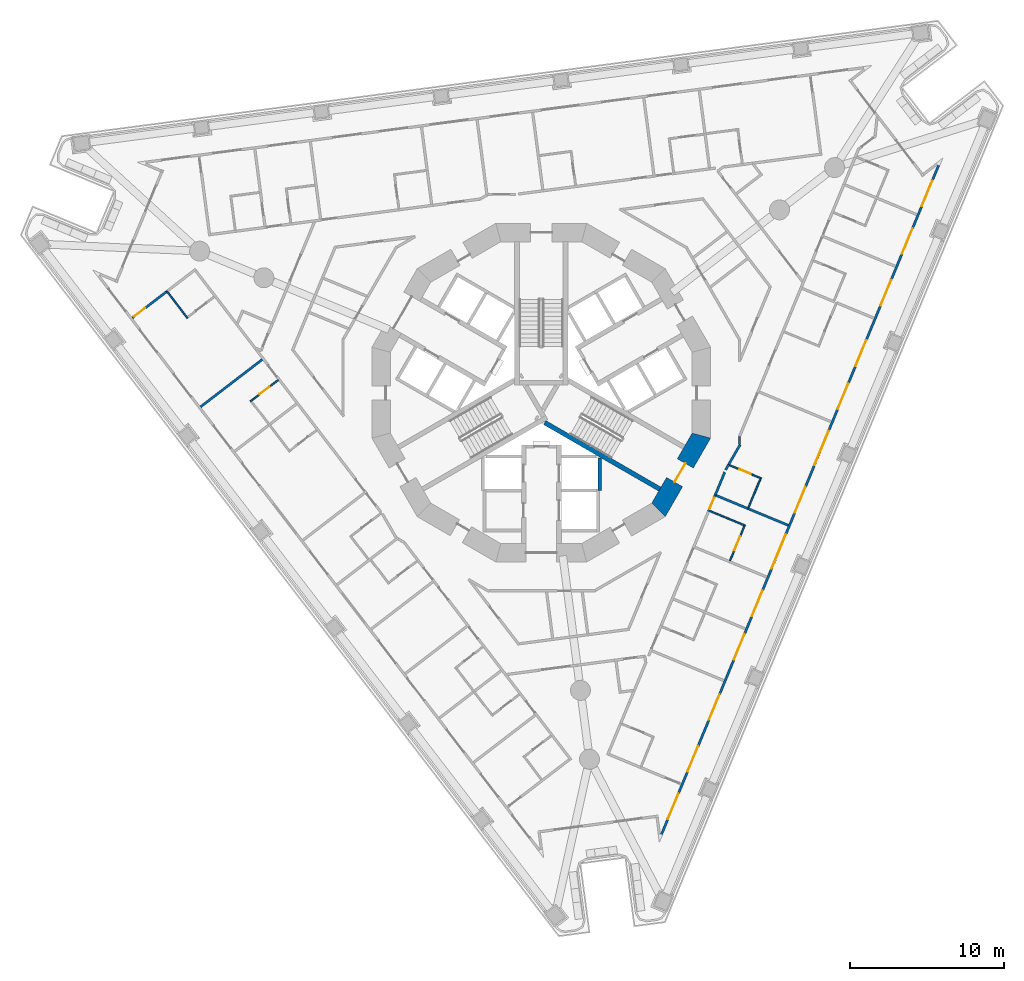
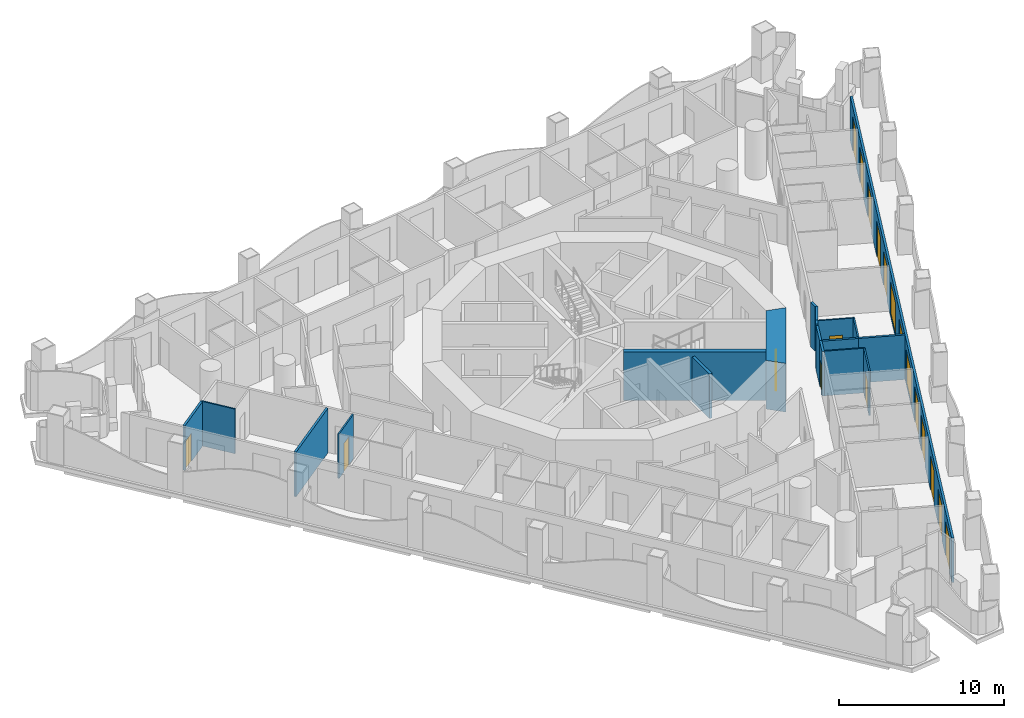
# One storey, part 5 of 19: 19 walls, 17 doors, 2 windows, 19 openings.
"""IFC4 building model written with IfcOpenShell, lengths in metres."""

from ifc_helpers import new_model, si_unit, direction, frame, frame_2d, origin, place, context, subcontext, project, spatial, polyline, rectangle, outline, extrude, material, layer, layer_set, type_object, element, fill, save


model = new_model("IFC4")

# Units and contexts
model_context = context("Model", 3, precision=1e-05, world=origin(), true_north=direction((0.0, 1.0)))
body_context = subcontext(model_context, "Body", "Model", "MODEL_VIEW")
ifc_project = project(units=[si_unit("LENGTHUNIT", "METRE"), si_unit("AREAUNIT", "SQUARE_METRE"), si_unit("VOLUMEUNIT", "CUBIC_METRE"), si_unit("PLANEANGLEUNIT", "RADIAN"), si_unit("MASSUNIT", "GRAM", prefix="KILO")], contexts=[model_context])

# Site, building, storey
site_placement = place(None, origin())
site = spatial("IfcSite", under=ifc_project, at=site_placement, CompositionType="ELEMENT")
building_placement = place(site_placement, origin())
building = spatial("IfcBuilding", under=site, at=building_placement, Name="Trine Commons Tower", CompositionType="ELEMENT")
storey_placement = place(building_placement, frame((0.0, 0.0, 75.60009765625)))
storey = spatial("IfcBuildingStorey", under=building, at=storey_placement, Name="L18", CompositionType="ELEMENT", Elevation=75.60009765625)

# Wall, openings, windows, doors
ifc_material_1 = material(Name="Aluminium-framed insulated wall panel", Category="aluminium")
ifc_layer_1 = layer(ifc_material_1, 0.14990234375)
ifc_layer_set_1 = layer_set([ifc_layer_1], Name="Aluminium-framed insulated wall panel")
wall_type_1 = type_object("IfcWallType", Name="Glazed frame wall 150, EI 60", PredefinedType="SOLIDWALL", material=ifc_layer_set_1)
wall_1_placement = place(storey_placement, frame((105.888671875, 77.410888671875, 0.0), z_axis=(0.0, 0.0, 1.0), x_axis=(-0.38268395344, -0.923879316675, 0.0)))
wall_1 = element("IfcWall", 1, at=wall_1_placement, inside=storey, type_object=wall_type_1, Name="Glazed frame wall F2", PredefinedType="SOLIDWALL", context=body_context, shape_type="SweptSolid", body=[
    extrude(outline(polyline([(0.1494140625, 0.074951171875), (0.1494140625, -0.074951171875), (47.216796875, -0.074951171875), (47.216796875, 0.074951171875), (0.1494140625, 0.074951171875)])), origin(), (0.0, 0.0, 1.0), 3.2998046875),
])
opening_1_placement = place(wall_1_placement, frame((1.2216796875, 0.0, 0.0)))
opening_1 = element("IfcOpeningElement", 2, at=opening_1_placement, cuts=wall_1, Name="Opening BD-2F2-01", PredefinedType="OPENING", context=body_context, shape_type="SweptSolid", body=[
    extrude(rectangle(XDim=1.800048828125, YDim=2.60009765625, at=frame_2d((0.89990234375, 1.300048828125))), frame((0.0, 0.0849609375, 0.0), z_axis=(0.0, -1.0, 0.0), x_axis=(1.0, 0.0, 0.0)), (0.0, 0.0, 1.0), 0.169921875),
])
opening_2_placement = place(wall_1_placement, frame((4.5654296875, 0.0, 0.0)))
opening_2 = element("IfcOpeningElement", 3, at=opening_2_placement, cuts=wall_1, Name="Opening BD-2F2-02", PredefinedType="OPENING", context=body_context, shape_type="SweptSolid", body=[
    extrude(rectangle(XDim=1.800048828125, YDim=2.60009765625, at=frame_2d((0.89990234375, 1.300048828125))), frame((0.0, 0.0849609375, 0.0), z_axis=(0.0, -1.0, 0.0), x_axis=(1.0, 0.0, 0.0)), (0.0, 0.0, 1.0), 0.169921875),
])
opening_3_placement = place(wall_1_placement, frame((8.208984375, 0.0, 0.0)))
opening_3 = element("IfcOpeningElement", 4, at=opening_3_placement, cuts=wall_1, Name="Opening BD-2F2-03", PredefinedType="OPENING", context=body_context, shape_type="SweptSolid", body=[
    extrude(rectangle(XDim=1.800048828125, YDim=2.60009765625, at=frame_2d((0.89990234375, 1.300048828125))), frame((0.0, 0.0849609375, 0.0), z_axis=(0.0, -1.0, 0.0), x_axis=(1.0, 0.0, 0.0)), (0.0, 0.0, 1.0), 0.169921875),
])
opening_4_placement = place(wall_1_placement, frame((12.45263671875, 0.0, 0.0)))
opening_4 = element("IfcOpeningElement", 5, at=opening_4_placement, cuts=wall_1, Name="Opening BD-2F2-04", PredefinedType="OPENING", context=body_context, shape_type="SweptSolid", body=[
    extrude(rectangle(XDim=1.800048828125, YDim=2.60009765625, at=frame_2d((0.89990234375, 1.300048828125))), frame((0.0, 0.0849609375, 0.0), z_axis=(0.0, -1.0, 0.0), x_axis=(1.0, 0.0, 0.0)), (0.0, 0.0, 1.0), 0.169921875),
])
opening_5_placement = place(wall_1_placement, frame((15.49609375, 0.0, 0.0)))
opening_5 = element("IfcOpeningElement", 6, at=opening_5_placement, cuts=wall_1, Name="Opening BD-2F2-05", PredefinedType="OPENING", context=body_context, shape_type="SweptSolid", body=[
    extrude(rectangle(XDim=1.800048828125, YDim=2.60009765625, at=frame_2d((0.89990234375, 1.300048828125))), frame((0.0, 0.0849609375, 0.0), z_axis=(0.0, -1.0, 0.0), x_axis=(1.0, 0.0, 0.0)), (0.0, 0.0, 1.0), 0.169921875),
])
opening_6_placement = place(wall_1_placement, frame((18.83984375, 0.0, 0.14990234375)))
opening_6 = element("IfcOpeningElement", 7, at=opening_6_placement, cuts=wall_1, Name="Opening W-2F2-06", PredefinedType="OPENING", context=body_context, shape_type="SweptSolid", body=[
    extrude(rectangle(XDim=2.39990234375, YDim=2.449951171875, at=frame_2d((1.199951171875, 1.22509765625))), frame((0.0, 0.0849609375, 0.0), z_axis=(0.0, -1.0, 0.0), x_axis=(1.0, 0.0, 0.0)), (0.0, 0.0, 1.0), 0.169921875),
])
opening_7_placement = place(wall_1_placement, frame((22.783447265625, 0.0, 0.0)))
opening_7 = element("IfcOpeningElement", 8, at=opening_7_placement, cuts=wall_1, Name="Opening BD-2F2-07", PredefinedType="OPENING", context=body_context, shape_type="SweptSolid", body=[
    extrude(rectangle(XDim=1.800048828125, YDim=2.60009765625, at=frame_2d((0.89990234375, 1.300048828125))), frame((0.0, 0.0849609375, 0.0), z_axis=(0.0, -1.0, 0.0), x_axis=(1.0, 0.0, 0.0)), (0.0, 0.0, 1.0), 0.169921875),
])
opening_8_placement = place(wall_1_placement, frame((26.126953125, 0.0, 0.14990234375)))
opening_8 = element("IfcOpeningElement", 9, at=opening_8_placement, cuts=wall_1, Name="Opening W-2F2-08", PredefinedType="OPENING", context=body_context, shape_type="SweptSolid", body=[
    extrude(rectangle(XDim=2.39990234375, YDim=2.449951171875, at=frame_2d((1.199951171875, 1.22509765625))), frame((0.0, 0.0849609375, 0.0), z_axis=(0.0, -1.0, 0.0), x_axis=(1.0, 0.0, 0.0)), (0.0, 0.0, 1.0), 0.169921875),
])
opening_9_placement = place(wall_1_placement, frame((30.070556640625, 0.0, 0.0)))
opening_9 = element("IfcOpeningElement", 10, at=opening_9_placement, cuts=wall_1, Name="Opening BD-2F2-09", PredefinedType="OPENING", context=body_context, shape_type="SweptSolid", body=[
    extrude(rectangle(XDim=1.800048828125, YDim=2.60009765625, at=frame_2d((0.89990234375, 1.300048828125))), frame((0.0, 0.0849609375, 0.0), z_axis=(0.0, -1.0, 0.0), x_axis=(1.0, 0.0, 0.0)), (0.0, 0.0, 1.0), 0.169921875),
])
opening_10_placement = place(wall_1_placement, frame((33.1142578125, 0.0, 0.0)))
opening_10 = element("IfcOpeningElement", 11, at=opening_10_placement, cuts=wall_1, Name="Opening BD-2F2-10", PredefinedType="OPENING", context=body_context, shape_type="SweptSolid", body=[
    extrude(rectangle(XDim=1.800048828125, YDim=2.60009765625, at=frame_2d((0.89990234375, 1.300048828125))), frame((0.0, 0.0849609375, 0.0), z_axis=(0.0, -1.0, 0.0), x_axis=(1.0, 0.0, 0.0)), (0.0, 0.0, 1.0), 0.169921875),
])
opening_11_placement = place(wall_1_placement, frame((37.35791015625, 0.0, 0.0)))
opening_11 = element("IfcOpeningElement", 12, at=opening_11_placement, cuts=wall_1, Name="Opening BD-2F2-11", PredefinedType="OPENING", context=body_context, shape_type="SweptSolid", body=[
    extrude(rectangle(XDim=1.800048828125, YDim=2.60009765625, at=frame_2d((0.89990234375, 1.300048828125))), frame((0.0, 0.0849609375, 0.0), z_axis=(0.0, -1.0, 0.0), x_axis=(1.0, 0.0, 0.0)), (0.0, 0.0, 1.0), 0.169921875),
])
opening_12_placement = place(wall_1_placement, frame((41.00146484375, 0.0, 0.0)))
opening_12 = element("IfcOpeningElement", 13, at=opening_12_placement, cuts=wall_1, Name="Opening BD-2F2-12", PredefinedType="OPENING", context=body_context, shape_type="SweptSolid", body=[
    extrude(rectangle(XDim=1.800048828125, YDim=2.60009765625, at=frame_2d((0.89990234375, 1.300048828125))), frame((0.0, 0.0849609375, 0.0), z_axis=(0.0, -1.0, 0.0), x_axis=(1.0, 0.0, 0.0)), (0.0, 0.0, 1.0), 0.169921875),
])
opening_13_placement = place(wall_1_placement, frame((44.344970703125, 0.0, 0.0)))
opening_13 = element("IfcOpeningElement", 14, at=opening_13_placement, cuts=wall_1, Name="Opening BD-2F2-13", PredefinedType="OPENING", context=body_context, shape_type="SweptSolid", body=[
    extrude(rectangle(XDim=1.800048828125, YDim=2.60009765625, at=frame_2d((0.89990234375, 1.300048828125))), frame((0.0, 0.0849609375, 0.0), z_axis=(0.0, -1.0, 0.0), x_axis=(1.0, 0.0, 0.0)), (0.0, 0.0, 1.0), 0.169921875),
])
ifc_material_2 = material(Name="Anodised aluminium frame with double glazing", Category="aluminium")
window_type = type_object("IfcWindowType", Name="Fixed window 2400x2450", PartitioningType="SINGLE_PANEL", PredefinedType="WINDOW", material=ifc_material_2)
window_1_placement = place(opening_6_placement, origin())
window_1 = element("IfcWindow", 15, at=window_1_placement, inside=storey, type_object=window_type, Name="Window F2 6", OverallHeight=2.449951171875, OverallWidth=2.39990234375, PartitioningType="SINGLE_PANEL", PredefinedType="WINDOW", context=body_context, shape_type="SweptSolid", body=[
    extrude(rectangle(XDim=2.39990234375, YDim=2.449951171875, at=frame_2d((1.199951171875, 1.22509765625))), frame((0.0, 0.030029296875, 0.0), z_axis=(0.0, -1.0, 0.0), x_axis=(1.0, 0.0, 0.0)), (0.0, 0.0, 1.0), 0.06005859375),
])
fill(opening_6, window_1)
window_2_placement = place(opening_8_placement, origin())
window_2 = element("IfcWindow", 16, at=window_2_placement, inside=storey, type_object=window_type, Name="Window F2 8", OverallHeight=2.449951171875, OverallWidth=2.39990234375, PartitioningType="SINGLE_PANEL", PredefinedType="WINDOW", context=body_context, shape_type="SweptSolid", body=[
    extrude(rectangle(XDim=2.39990234375, YDim=2.449951171875, at=frame_2d((1.199951171875, 1.22509765625))), frame((0.0, 0.030029296875, 0.0), z_axis=(0.0, -1.0, 0.0), x_axis=(1.0, 0.0, 0.0)), (0.0, 0.0, 1.0), 0.06005859375),
])
fill(opening_8, window_2)
door_type_1 = type_object("IfcDoorType", Name="Sliding loggia door 1800x2600", OperationType="SLIDING_TO_LEFT", PredefinedType="DOOR", material=ifc_material_2)
door_1_placement = place(opening_1_placement, origin())
door_1 = element("IfcDoor", 17, at=door_1_placement, inside=storey, type_object=door_type_1, Name="Loggia door F2 1", OperationType="SLIDING_TO_LEFT", OverallHeight=2.60009765625, OverallWidth=1.800048828125, PredefinedType="DOOR", context=body_context, shape_type="SweptSolid", body=[
    extrude(rectangle(XDim=1.800048828125, YDim=2.60009765625, at=frame_2d((0.89990234375, 1.300048828125))), frame((0.0, 0.02490234375, 0.0), z_axis=(0.0, -1.0, 0.0), x_axis=(1.0, 0.0, 0.0)), (0.0, 0.0, 1.0), 0.050048828125),
])
fill(opening_1, door_1)
door_2_placement = place(opening_2_placement, origin())
door_2 = element("IfcDoor", 18, at=door_2_placement, inside=storey, type_object=door_type_1, Name="Loggia door F2 2", OperationType="SLIDING_TO_LEFT", OverallHeight=2.60009765625, OverallWidth=1.800048828125, PredefinedType="DOOR", context=body_context, shape_type="SweptSolid", body=[
    extrude(rectangle(XDim=1.800048828125, YDim=2.60009765625, at=frame_2d((0.89990234375, 1.300048828125))), frame((0.0, 0.02490234375, 0.0), z_axis=(0.0, -1.0, 0.0), x_axis=(1.0, 0.0, 0.0)), (0.0, 0.0, 1.0), 0.050048828125),
])
fill(opening_2, door_2)
door_3_placement = place(opening_3_placement, origin())
door_3 = element("IfcDoor", 19, at=door_3_placement, inside=storey, type_object=door_type_1, Name="Loggia door F2 3", OperationType="SLIDING_TO_LEFT", OverallHeight=2.60009765625, OverallWidth=1.800048828125, PredefinedType="DOOR", context=body_context, shape_type="SweptSolid", body=[
    extrude(rectangle(XDim=1.800048828125, YDim=2.60009765625, at=frame_2d((0.89990234375, 1.300048828125))), frame((0.0, 0.02490234375, 0.0), z_axis=(0.0, -1.0, 0.0), x_axis=(1.0, 0.0, 0.0)), (0.0, 0.0, 1.0), 0.050048828125),
])
fill(opening_3, door_3)
door_4_placement = place(opening_4_placement, origin())
door_4 = element("IfcDoor", 20, at=door_4_placement, inside=storey, type_object=door_type_1, Name="Loggia door F2 4", OperationType="SLIDING_TO_LEFT", OverallHeight=2.60009765625, OverallWidth=1.800048828125, PredefinedType="DOOR", context=body_context, shape_type="SweptSolid", body=[
    extrude(rectangle(XDim=1.800048828125, YDim=2.60009765625, at=frame_2d((0.89990234375, 1.300048828125))), frame((0.0, 0.02490234375, 0.0), z_axis=(0.0, -1.0, 0.0), x_axis=(1.0, 0.0, 0.0)), (0.0, 0.0, 1.0), 0.050048828125),
])
fill(opening_4, door_4)
door_5_placement = place(opening_5_placement, origin())
door_5 = element("IfcDoor", 21, at=door_5_placement, inside=storey, type_object=door_type_1, Name="Loggia door F2 5", OperationType="SLIDING_TO_LEFT", OverallHeight=2.60009765625, OverallWidth=1.800048828125, PredefinedType="DOOR", context=body_context, shape_type="SweptSolid", body=[
    extrude(rectangle(XDim=1.800048828125, YDim=2.60009765625, at=frame_2d((0.89990234375, 1.300048828125))), frame((0.0, 0.02490234375, 0.0), z_axis=(0.0, -1.0, 0.0), x_axis=(1.0, 0.0, 0.0)), (0.0, 0.0, 1.0), 0.050048828125),
])
fill(opening_5, door_5)
door_6_placement = place(opening_7_placement, origin())
door_6 = element("IfcDoor", 22, at=door_6_placement, inside=storey, type_object=door_type_1, Name="Loggia door F2 7", OperationType="SLIDING_TO_LEFT", OverallHeight=2.60009765625, OverallWidth=1.800048828125, PredefinedType="DOOR", context=body_context, shape_type="SweptSolid", body=[
    extrude(rectangle(XDim=1.800048828125, YDim=2.60009765625, at=frame_2d((0.89990234375, 1.300048828125))), frame((0.0, 0.02490234375, 0.0), z_axis=(0.0, -1.0, 0.0), x_axis=(1.0, 0.0, 0.0)), (0.0, 0.0, 1.0), 0.050048828125),
])
fill(opening_7, door_6)
door_7_placement = place(opening_9_placement, origin())
door_7 = element("IfcDoor", 23, at=door_7_placement, inside=storey, type_object=door_type_1, Name="Loggia door F2 9", OperationType="SLIDING_TO_LEFT", OverallHeight=2.60009765625, OverallWidth=1.800048828125, PredefinedType="DOOR", context=body_context, shape_type="SweptSolid", body=[
    extrude(rectangle(XDim=1.800048828125, YDim=2.60009765625, at=frame_2d((0.89990234375, 1.300048828125))), frame((0.0, 0.02490234375, 0.0), z_axis=(0.0, -1.0, 0.0), x_axis=(1.0, 0.0, 0.0)), (0.0, 0.0, 1.0), 0.050048828125),
])
fill(opening_9, door_7)
door_8_placement = place(opening_10_placement, origin())
door_8 = element("IfcDoor", 24, at=door_8_placement, inside=storey, type_object=door_type_1, Name="Loggia door F2 10", OperationType="SLIDING_TO_LEFT", OverallHeight=2.60009765625, OverallWidth=1.800048828125, PredefinedType="DOOR", context=body_context, shape_type="SweptSolid", body=[
    extrude(rectangle(XDim=1.800048828125, YDim=2.60009765625, at=frame_2d((0.89990234375, 1.300048828125))), frame((0.0, 0.02490234375, 0.0), z_axis=(0.0, -1.0, 0.0), x_axis=(1.0, 0.0, 0.0)), (0.0, 0.0, 1.0), 0.050048828125),
])
fill(opening_10, door_8)
door_9_placement = place(opening_11_placement, origin())
door_9 = element("IfcDoor", 25, at=door_9_placement, inside=storey, type_object=door_type_1, Name="Loggia door F2 11", OperationType="SLIDING_TO_LEFT", OverallHeight=2.60009765625, OverallWidth=1.800048828125, PredefinedType="DOOR", context=body_context, shape_type="SweptSolid", body=[
    extrude(rectangle(XDim=1.800048828125, YDim=2.60009765625, at=frame_2d((0.89990234375, 1.300048828125))), frame((0.0, 0.02490234375, 0.0), z_axis=(0.0, -1.0, 0.0), x_axis=(1.0, 0.0, 0.0)), (0.0, 0.0, 1.0), 0.050048828125),
])
fill(opening_11, door_9)
door_10_placement = place(opening_12_placement, origin())
door_10 = element("IfcDoor", 26, at=door_10_placement, inside=storey, type_object=door_type_1, Name="Loggia door F2 12", OperationType="SLIDING_TO_LEFT", OverallHeight=2.60009765625, OverallWidth=1.800048828125, PredefinedType="DOOR", context=body_context, shape_type="SweptSolid", body=[
    extrude(rectangle(XDim=1.800048828125, YDim=2.60009765625, at=frame_2d((0.89990234375, 1.300048828125))), frame((0.0, 0.02490234375, 0.0), z_axis=(0.0, -1.0, 0.0), x_axis=(1.0, 0.0, 0.0)), (0.0, 0.0, 1.0), 0.050048828125),
])
fill(opening_12, door_10)
door_11_placement = place(opening_13_placement, origin())
door_11 = element("IfcDoor", 27, at=door_11_placement, inside=storey, type_object=door_type_1, Name="Loggia door F2 13", OperationType="SLIDING_TO_LEFT", OverallHeight=2.60009765625, OverallWidth=1.800048828125, PredefinedType="DOOR", context=body_context, shape_type="SweptSolid", body=[
    extrude(rectangle(XDim=1.800048828125, YDim=2.60009765625, at=frame_2d((0.89990234375, 1.300048828125))), frame((0.0, 0.02490234375, 0.0), z_axis=(0.0, -1.0, 0.0), x_axis=(1.0, 0.0, 0.0)), (0.0, 0.0, 1.0), 0.050048828125),
])
fill(opening_13, door_11)

# Wall, opening, door
ifc_material_3 = material(Name="Concrete C80/95", Category="concrete")
ifc_layer_2 = layer(ifc_material_3, 1.199951171875)
ifc_layer_set_2 = layer_set([ifc_layer_2], Name="Concrete C80/95")
wall_type_2 = type_object("IfcWallType", Name="RC shear wall 1200 mm, C80/95", PredefinedType="SHEAR", material=ifc_layer_set_2)
wall_2_placement = place(storey_placement, frame((87.54150390625, 54.739013671875, 0.0), z_axis=(0.0, 0.0, 1.0), x_axis=(0.499979111662, 0.866037463336, 0.0)))
wall_2 = element("IfcWall", 28, at=wall_2_placement, inside=storey, type_object=wall_type_2, Name="Core wall CWB-12 L18", PredefinedType="SHEAR", context=body_context, shape_type="SweptSolid", body=[
    extrude(outline(polyline([(0.0, -0.60009765625), (5.901123046875, -0.60009765625), (5.57958984375, 0.60009765625), (0.321533203125, 0.60009765625), (0.0, -0.60009765625)])), origin(), (0.0, 0.0, 1.0), 3.599853515625),
])
opening_14_placement = place(wall_2_placement, frame((2.25048828125, 0.0, 0.0)))
opening_14 = element("IfcOpeningElement", 29, at=opening_14_placement, cuts=wall_2, Name="Opening K05.03", PredefinedType="OPENING", context=body_context, shape_type="SweptSolid", body=[
    extrude(rectangle(XDim=1.39990234375, YDim=2.10009765625, at=frame_2d((0.699951171875, 1.050048828125))), frame((0.0, 0.60986328125, 0.0), z_axis=(0.0, -1.0, 0.0), x_axis=(1.0, 0.0, 0.0)), (0.0, 0.0, 1.0), 1.219970703125),
])
ifc_material_4 = material(Name="Steel door leaves, fire-rated", Category="steel")
door_type_2 = type_object("IfcDoorType", Name="Stair door, double leaf 1400 x 2100, FD90", OperationType="DOUBLE_DOOR_SINGLE_SWING", PredefinedType="DOOR", material=ifc_material_4)
door_12_placement = place(opening_14_placement, origin())
door_12 = element("IfcDoor", 30, at=door_12_placement, inside=storey, type_object=door_type_2, Name="Stair door to Exit stair ST3A L18", OperationType="DOUBLE_DOOR_SINGLE_SWING", OverallHeight=2.10009765625, OverallWidth=1.39990234375, PredefinedType="DOOR", context=body_context, shape_type="SweptSolid", body=[
    extrude(rectangle(XDim=1.39990234375, YDim=2.10009765625, at=frame_2d((0.699951171875, 1.050048828125))), frame((0.0, 0.02490234375, 0.0), z_axis=(0.0, -1.0, 0.0), x_axis=(1.0, 0.0, 0.0)), (0.0, 0.0, 1.0), 0.050048828125),
])
fill(opening_14, door_12)

# Walls
ifc_layer_3 = layer(ifc_material_3, 0.300048828125)
ifc_layer_set_3 = layer_set([ifc_layer_3], Name="Concrete C80/95")
wall_type_3 = type_object("IfcWallType", Name="RC shear wall 300 mm, C80/95", PredefinedType="SHEAR", material=ifc_layer_set_3)
wall_3_placement = place(storey_placement, frame((80.22509765625, 60.552001953125, 0.0), z_axis=(0.0, 0.0, 1.0), x_axis=(0.865965399159, -0.500103916661, 0.0)))
element("IfcWall", 31, at=wall_3_placement, inside=storey, type_object=wall_type_3, Name="Core cross wall SWA-13 L18", PredefinedType="SHEAR", context=body_context, shape_type="SweptSolid", body=[
    extrude(rectangle(XDim=8.642333984375, YDim=0.300048828125, at=frame_2d((4.3212890625, 0.0))), origin(), (0.0, 0.0, 1.0), 3.599853515625),
])
ifc_material_5 = material(Name="Fire-rated gypsum shaft wall system")
ifc_layer_4 = layer(ifc_material_5, 0.199951171875)
ifc_layer_set_4 = layer_set([ifc_layer_4], Name="Fire-rated gypsum shaft wall system")
wall_type_4 = type_object("IfcWallType", Name="Shaft wall 200 mm, EI 120", PredefinedType="PARTITIONING", material=ifc_layer_set_4)
wall_4_placement = place(storey_placement, frame((83.800048828125, 58.256103515625, 0.0), z_axis=(0.0, 0.0, 1.0), x_axis=(0.0, -1.0, 0.0)))
element("IfcWall", 32, at=wall_4_placement, inside=storey, type_object=wall_type_4, Name="Shaft wall L18", PredefinedType="PARTITIONING", context=body_context, shape_type="SweptSolid", body=[
    extrude(rectangle(XDim=2.106201171875, YDim=0.199951171875, at=frame_2d((1.05322265625, 0.0))), origin(), (0.0, 0.0, 1.0), 3.2998046875),
])

# Wall, opening, door
ifc_material_6 = material(Name="Gypsum plasterboard on steel stud", Category="steel")
ifc_layer_5 = layer(ifc_material_6, 0.14990234375)
ifc_layer_set_5 = layer_set([ifc_layer_5], Name="Gypsum plasterboard on steel stud")
wall_type_5 = type_object("IfcWallType", Name="Unit and corridor wall 150 mm, EI 60", PredefinedType="PARTITIONING", material=ifc_layer_set_5)
wall_5_placement = place(storey_placement, frame((53.41162109375, 67.3583984375, 0.0), z_axis=(0.0, 0.0, 1.0), x_axis=(0.793542758611, 0.608514494696, 0.0)))
wall_5 = element("IfcWall", 33, at=wall_5_placement, inside=storey, type_object=wall_type_5, Name="Partition 001", PredefinedType="PARTITIONING", context=body_context, shape_type="SweptSolid", body=[
    extrude(rectangle(XDim=2.842041015625, YDim=0.14990234375, at=frame_2d((1.4208984375, 0.0))), origin(), (0.0, 0.0, 1.0), 3.2998046875),
])
opening_15_placement = place(wall_5_placement, frame((0.14990234375, 0.0, 0.0)))
opening_15 = element("IfcOpeningElement", 34, at=opening_15_placement, cuts=wall_5, Name="Opening D-2C32", PredefinedType="OPENING", context=body_context, shape_type="SweptSolid", body=[
    extrude(rectangle(XDim=0.89990234375, YDim=2.10009765625, at=frame_2d((0.449951171875, 1.050048828125))), frame((0.0, 0.0849609375, 0.0), z_axis=(0.0, -1.0, 0.0), x_axis=(1.0, 0.0, 0.0)), (0.0, 0.0, 1.0), 0.169921875),
])
ifc_material_7 = material(Name="Timber fire door set", Category="wood")
door_type_3 = type_object("IfcDoorType", Name="Bedroom door 900 x 2100, FD30S", OperationType="NOTDEFINED", PredefinedType="DOOR", material=ifc_material_7)
door_13_placement = place(opening_15_placement, frame((0.89990234375, 0.0, 0.0), z_axis=(0.0, 0.0, 1.0), x_axis=(-1.0, 0.0, 0.0)))
door_13 = element("IfcDoor", 35, at=door_13_placement, inside=storey, type_object=door_type_3, Name="Door D-2C32", OperationType="SINGLE_SWING_RIGHT", OverallHeight=2.10009765625, OverallWidth=0.89990234375, PredefinedType="DOOR", context=body_context, shape_type="SweptSolid", body=[
    extrude(rectangle(XDim=0.89990234375, YDim=2.10009765625, at=frame_2d((0.449951171875, 1.050048828125))), frame((0.0, 0.02490234375, 0.0), z_axis=(0.0, -1.0, 0.0), x_axis=(1.0, 0.0, 0.0)), (0.0, 0.0, 1.0), 0.050048828125),
])
fill(opening_15, door_13)

# Wall
wall_6_placement = place(storey_placement, frame((57.84765625, 61.576416015625, 0.0), z_axis=(0.0, 0.0, 1.0), x_axis=(0.793374300247, 0.608734112488, 0.0)))
element("IfcWall", 36, at=wall_6_placement, inside=storey, type_object=wall_type_5, Name="Partition 007", PredefinedType="PARTITIONING", context=body_context, shape_type="SweptSolid", body=[
    extrude(rectangle(XDim=5.064208984375, YDim=0.14990234375, at=frame_2d((2.5322265625, 0.0))), origin(), (0.0, 0.0, 1.0), 3.2998046875),
])

# Wall, opening, door
wall_7_placement = place(storey_placement, frame((90.871826171875, 54.78271484375, 0.0), z_axis=(0.0, 0.0, 1.0), x_axis=(0.382220720008, 0.924071058521, 0.0)))
wall_7 = element("IfcWall", 37, at=wall_7_placement, inside=storey, type_object=wall_type_5, Name="Partition 122", PredefinedType="PARTITIONING", context=body_context, shape_type="SweptSolid", body=[
    extrude(rectangle(XDim=1.151611328125, YDim=0.14990234375, at=frame_2d((0.57568359375, 0.0))), origin(), (0.0, 0.0, 1.0), 3.2998046875),
])
opening_16_placement = place(wall_7_placement, frame((0.161865234375, 0.0, 0.0)))
opening_16 = element("IfcOpeningElement", 38, at=opening_16_placement, cuts=wall_7, Name="Opening D-2C20", PredefinedType="OPENING", context=body_context, shape_type="SweptSolid", body=[
    extrude(rectangle(XDim=0.800048828125, YDim=2.10009765625, at=frame_2d((0.39990234375, 1.050048828125))), frame((0.0, 0.0849609375, 0.0), z_axis=(0.0, -1.0, 0.0), x_axis=(1.0, 0.0, 0.0)), (0.0, 0.0, 1.0), 0.169921875),
])
door_type_4 = type_object("IfcDoorType", Name="Bedroom door 800 x 2100, FD30S", OperationType="NOTDEFINED", PredefinedType="DOOR", material=ifc_material_7)
door_14_placement = place(opening_16_placement, frame((0.800048828125, 0.0, 0.0), z_axis=(0.0, 0.0, 1.0), x_axis=(-1.0, 0.0, 0.0)))
door_14 = element("IfcDoor", 39, at=door_14_placement, inside=storey, type_object=door_type_4, Name="Door D-2C20", OperationType="SINGLE_SWING_RIGHT", OverallHeight=2.10009765625, OverallWidth=0.800048828125, PredefinedType="DOOR", context=body_context, shape_type="SweptSolid", body=[
    extrude(rectangle(XDim=0.800048828125, YDim=2.10009765625, at=frame_2d((0.39990234375, 1.050048828125))), frame((0.0, 0.02490234375, 0.0), z_axis=(0.0, -1.0, 0.0), x_axis=(1.0, 0.0, 0.0)), (0.0, 0.0, 1.0), 0.050048828125),
])
fill(opening_16, door_14)

# Walls
wall_8_placement = place(storey_placement, frame((91.2802734375, 55.769775390625, 0.0), z_axis=(0.0, 0.0, 1.0), x_axis=(0.382865069258, 0.923804275127, 0.0)))
element("IfcWall", 40, at=wall_8_placement, inside=storey, type_object=wall_type_5, Name="Partition 126", PredefinedType="PARTITIONING", context=body_context, shape_type="SweptSolid", body=[
    extrude(rectangle(XDim=1.6943359375, YDim=0.14990234375, at=frame_2d((0.84716796875, 0.0))), origin(), (0.0, 0.0, 1.0), 3.2998046875),
])
wall_9_placement = place(storey_placement, frame((91.38037109375, 55.814208984375, 0.0), z_axis=(0.0, 0.0, 1.0), x_axis=(0.923815658233, -0.382837602128, 0.0)))
element("IfcWall", 41, at=wall_9_placement, inside=storey, type_object=wall_type_5, Name="Partition 127", PredefinedType="PARTITIONING", context=body_context, shape_type="SweptSolid", body=[
    extrude(rectangle(XDim=2.23388671875, YDim=0.14990234375, at=frame_2d((1.116943359375, 0.0))), origin(), (0.0, 0.0, 1.0), 3.2998046875),
])
wall_10_placement = place(storey_placement, frame((91.98193359375, 57.48046875, 0.0), z_axis=(0.0, 0.0, 1.0), x_axis=(0.500603037456, 0.865676959893, 0.0)))
element("IfcWall", 42, at=wall_10_placement, inside=storey, type_object=wall_type_5, Name="Partition 131", PredefinedType="PARTITIONING", context=body_context, shape_type="SweptSolid", body=[
    extrude(rectangle(XDim=0.39990234375, YDim=0.14990234375, at=frame_2d((0.199951171875, 0.0))), origin(), (0.0, 0.0, 1.0), 3.2998046875),
])
wall_11_placement = place(storey_placement, frame((92.14697265625, 57.765625, 0.0), z_axis=(0.0, 0.0, 1.0), x_axis=(0.500175555549, 0.865924023013, 0.0)))
element("IfcWall", 43, at=wall_11_placement, inside=storey, type_object=wall_type_5, Name="Partition 132", PredefinedType="PARTITIONING", context=body_context, shape_type="SweptSolid", body=[
    extrude(rectangle(XDim=1.5546875, YDim=0.14990234375, at=frame_2d((0.77734375, 0.0))), origin(), (0.0, 0.0, 1.0), 3.2998046875),
])
wall_12_placement = place(storey_placement, frame((92.886962890625, 59.1220703125, 0.0), z_axis=(0.0, 0.0, 1.0), x_axis=(0.0, 1.0, 0.0)))
element("IfcWall", 44, at=wall_12_placement, inside=storey, type_object=wall_type_5, Name="Partition 138", PredefinedType="PARTITIONING", context=body_context, shape_type="SweptSolid", body=[
    extrude(rectangle(XDim=0.535888671875, YDim=0.14990234375, at=frame_2d((0.26806640625, 0.0))), origin(), (0.0, 0.0, 1.0), 3.2998046875),
])
wall_13_placement = place(storey_placement, frame((93.444091796875, 54.958984375, 0.0), z_axis=(0.0, 0.0, 1.0), x_axis=(0.92392958519, -0.382562572152, 0.0)))
element("IfcWall", 45, at=wall_13_placement, inside=storey, type_object=wall_type_5, Name="Partition 144", PredefinedType="PARTITIONING", context=body_context, shape_type="SweptSolid", body=[
    extrude(rectangle(XDim=2.830322265625, YDim=0.14990234375, at=frame_2d((1.4150390625, 0.0))), origin(), (0.0, 0.0, 1.0), 3.2998046875),
])
ifc_layer_6 = layer(ifc_material_6, 0.10009765625)
ifc_layer_set_6 = layer_set([ifc_layer_6], Name="Gypsum plasterboard on steel stud")
wall_type_6 = type_object("IfcWallType", Name="Unit partition 100 mm, no rating", PredefinedType="PARTITIONING", material=ifc_layer_set_6)
wall_14_placement = place(storey_placement, frame((55.6640625, 69.0859375, 0.0), z_axis=(0.0, 0.0, 1.0), x_axis=(0.608734333178, -0.793374130919, 0.0)))
element("IfcWall", 46, at=wall_14_placement, inside=storey, type_object=wall_type_6, Name="Partition 003", PredefinedType="PARTITIONING", context=body_context, shape_type="SweptSolid", body=[
    extrude(rectangle(XDim=2.2001953125, YDim=0.10009765625, at=frame_2d((1.10009765625, 0.0))), origin(), (0.0, 0.0, 1.0), 3.2998046875),
])

# Wall, opening, door
wall_15_placement = place(storey_placement, frame((61.09130859375, 61.9306640625, 0.0), z_axis=(0.0, 0.0, 1.0), x_axis=(0.793437070432, 0.608652294224, 0.0)))
wall_15 = element("IfcWall", 47, at=wall_15_placement, inside=storey, type_object=wall_type_6, Name="Partition 015", PredefinedType="PARTITIONING", context=body_context, shape_type="SweptSolid", body=[
    extrude(rectangle(XDim=2.275146484375, YDim=0.10009765625, at=frame_2d((1.1376953125, 0.0))), origin(), (0.0, 0.0, 1.0), 3.2998046875),
])
opening_17_placement = place(wall_15_placement, frame((0.762451171875, 0.0, 0.0)))
opening_17 = element("IfcOpeningElement", 48, at=opening_17_placement, cuts=wall_15, Name="Opening D-2C63", PredefinedType="OPENING", context=body_context, shape_type="SweptSolid", body=[
    extrude(rectangle(XDim=0.800048828125, YDim=2.10009765625, at=frame_2d((0.39990234375, 1.050048828125))), frame((0.0, 0.06005859375, 0.0), z_axis=(0.0, -1.0, 0.0), x_axis=(1.0, 0.0, 0.0)), (0.0, 0.0, 1.0), 0.1201171875),
])
ifc_material_8 = material(Name="Painted timber", Category="wood")
door_type_5 = type_object("IfcDoorType", Name="Internal door 800 x 2100, NOT RATED", OperationType="NOTDEFINED", PredefinedType="DOOR", material=ifc_material_8)
door_15_placement = place(opening_17_placement, origin())
door_15 = element("IfcDoor", 49, at=door_15_placement, inside=storey, type_object=door_type_5, Name="Door D-2C63", OperationType="SINGLE_SWING_RIGHT", OverallHeight=2.10009765625, OverallWidth=0.800048828125, PredefinedType="DOOR", context=body_context, shape_type="SweptSolid", body=[
    extrude(rectangle(XDim=0.800048828125, YDim=2.10009765625, at=frame_2d((0.39990234375, 1.050048828125))), frame((0.0, 0.02490234375, 0.0), z_axis=(0.0, -1.0, 0.0), x_axis=(1.0, 0.0, 0.0)), (0.0, 0.0, 1.0), 0.050048828125),
])
fill(opening_17, door_15)

# Wall
wall_16_placement = place(storey_placement, frame((90.96240234375, 54.80322265625, 0.0), z_axis=(0.0, 0.0, 1.0), x_axis=(0.923920221762, -0.38258518505, 0.0)))
element("IfcWall", 50, at=wall_16_placement, inside=storey, type_object=wall_type_6, Name="Partition 123", PredefinedType="PARTITIONING", context=body_context, shape_type="SweptSolid", body=[
    extrude(rectangle(XDim=2.494384765625, YDim=0.10009765625, at=frame_2d((1.2470703125, 0.0))), origin(), (0.0, 0.0, 1.0), 3.2998046875),
])

# Wall, opening, door
wall_17_placement = place(storey_placement, frame((92.243408203125, 57.783203125, 0.0), z_axis=(0.0, 0.0, 1.0), x_axis=(0.923868073298, -0.382711096181, 0.0)))
wall_17 = element("IfcWall", 51, at=wall_17_placement, inside=storey, type_object=wall_type_6, Name="Partition 133", PredefinedType="PARTITIONING", context=body_context, shape_type="SweptSolid", body=[
    extrude(rectangle(XDim=2.240478515625, YDim=0.10009765625, at=frame_2d((1.1201171875, 0.0))), origin(), (0.0, 0.0, 1.0), 3.2998046875),
])
opening_18_placement = place(wall_17_placement, frame((0.6953125, 0.0, 0.0)))
opening_18 = element("IfcOpeningElement", 52, at=opening_18_placement, cuts=wall_17, Name="Opening D-2C52", PredefinedType="OPENING", context=body_context, shape_type="SweptSolid", body=[
    extrude(rectangle(XDim=0.800048828125, YDim=2.10009765625, at=frame_2d((0.39990234375, 1.050048828125))), frame((0.0, 0.06005859375, 0.0), z_axis=(0.0, -1.0, 0.0), x_axis=(1.0, 0.0, 0.0)), (0.0, 0.0, 1.0), 0.1201171875),
])
door_16_placement = place(opening_18_placement, origin())
door_16 = element("IfcDoor", 53, at=door_16_placement, inside=storey, type_object=door_type_5, Name="Door D-2C52", OperationType="SINGLE_SWING_LEFT", OverallHeight=2.10009765625, OverallWidth=0.800048828125, PredefinedType="DOOR", context=body_context, shape_type="SweptSolid", body=[
    extrude(rectangle(XDim=0.800048828125, YDim=2.10009765625, at=frame_2d((0.39990234375, 1.050048828125))), frame((0.0, 0.02490234375, 0.0), z_axis=(0.0, -1.0, 0.0), x_axis=(1.0, 0.0, 0.0)), (0.0, 0.0, 1.0), 0.050048828125),
])
fill(opening_18, door_16)

wall_18_placement = place(storey_placement, frame((92.273681640625, 51.581298828125, 0.0), z_axis=(0.0, 0.0, 1.0), x_axis=(0.382748920082, 0.923852403891, 0.0)))
wall_18 = element("IfcWall", 54, at=wall_18_placement, inside=storey, type_object=wall_type_6, Name="Partition 134", PredefinedType="PARTITIONING", context=body_context, shape_type="SweptSolid", body=[
    extrude(rectangle(XDim=2.425048828125, YDim=0.10009765625, at=frame_2d((1.21240234375, 0.0))), origin(), (0.0, 0.0, 1.0), 3.2998046875),
])
opening_19_placement = place(wall_18_placement, frame((0.71240234375, 0.0, 0.0)))
opening_19 = element("IfcOpeningElement", 55, at=opening_19_placement, cuts=wall_18, Name="Opening D-2C53", PredefinedType="OPENING", context=body_context, shape_type="SweptSolid", body=[
    extrude(rectangle(XDim=1.0, YDim=2.10009765625, at=frame_2d((0.5, 1.050048828125))), frame((0.0, 0.06005859375, 0.0), z_axis=(0.0, -1.0, 0.0), x_axis=(1.0, 0.0, 0.0)), (0.0, 0.0, 1.0), 0.1201171875),
])
door_type_6 = type_object("IfcDoorType", Name="Internal door 1000 x 2100, NOT RATED", OperationType="NOTDEFINED", PredefinedType="DOOR", material=ifc_material_8)
door_17_placement = place(opening_19_placement, frame((1.0, 0.0, 0.0), z_axis=(0.0, 0.0, 1.0), x_axis=(-1.0, 0.0, 0.0)))
door_17 = element("IfcDoor", 56, at=door_17_placement, inside=storey, type_object=door_type_6, Name="Door D-2C53", OperationType="SINGLE_SWING_RIGHT", OverallHeight=2.10009765625, OverallWidth=1.0, PredefinedType="DOOR", context=body_context, shape_type="SweptSolid", body=[
    extrude(rectangle(XDim=1.0, YDim=2.10009765625, at=frame_2d((0.5, 1.050048828125))), frame((0.0, 0.02490234375, 0.0), z_axis=(0.0, -1.0, 0.0), x_axis=(1.0, 0.0, 0.0)), (0.0, 0.0, 1.0), 0.050048828125),
])
fill(opening_19, door_17)

# Wall
wall_19_placement = place(storey_placement, frame((93.47265625, 55.0283203125, 0.0), z_axis=(0.0, 0.0, 1.0), x_axis=(0.382859418939, 0.923806616847, 0.0)))
element("IfcWall", 57, at=wall_19_placement, inside=storey, type_object=wall_type_6, Name="Partition 143", PredefinedType="PARTITIONING", context=body_context, shape_type="SweptSolid", body=[
    extrude(rectangle(XDim=2.024658203125, YDim=0.10009765625, at=frame_2d((1.01220703125, 0.0))), origin(), (0.0, 0.0, 1.0), 3.2998046875),
])

save(model, "model.ifc")
